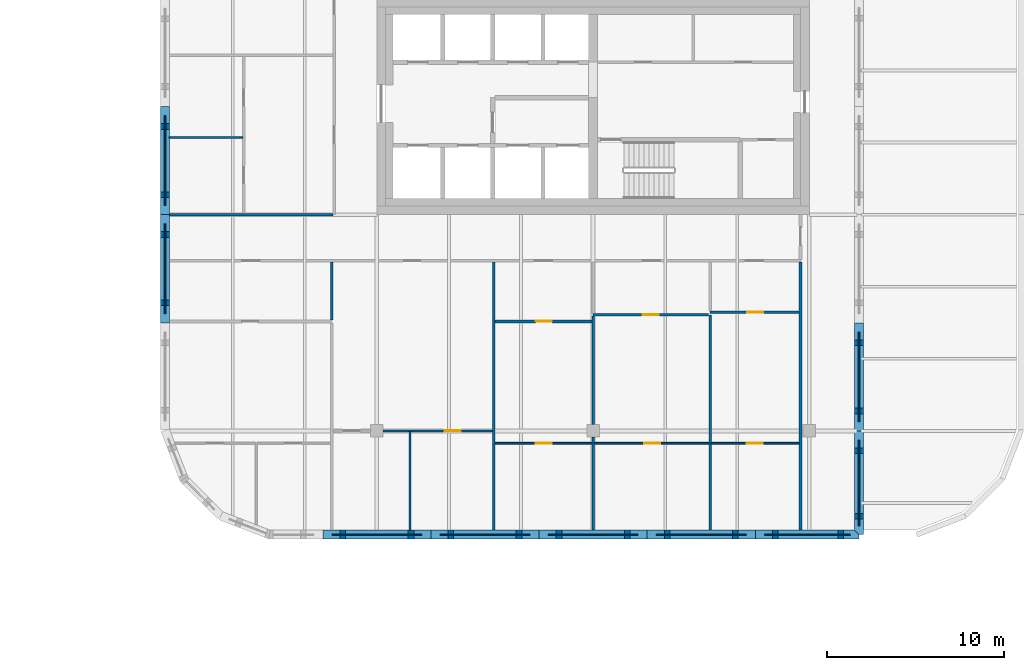
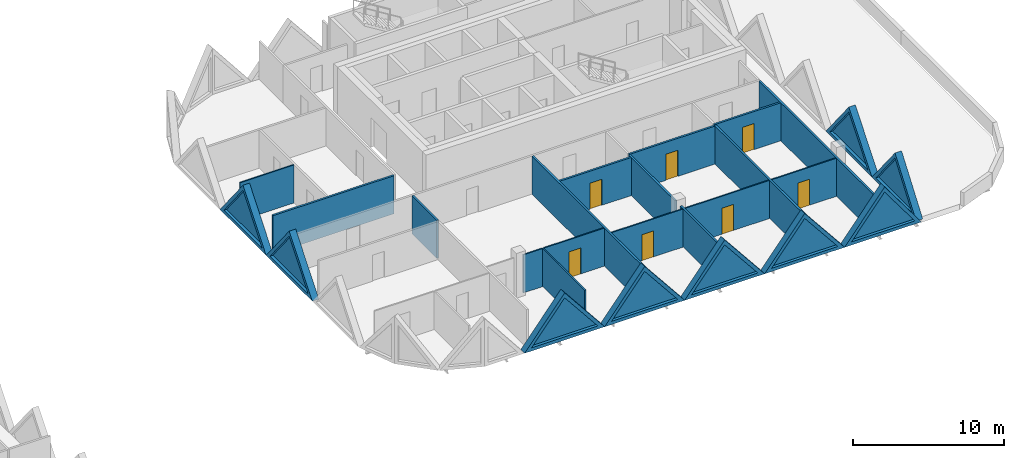
# One storey, part 12 of 18: 26 walls, 9 plates, 7 doors, 16 openings.
"""IFC4 building model written with IfcOpenShell, lengths in metres."""

import ifcopenshell
import ifcopenshell.guid

model = None  # the IFC model being written
_history = None  # IfcOwnerHistory: only IFC2X3 demands one
_inside = {}  # id of a spatial element -> (the spatial element, [elements in it])
_under = {}  # id of a project, library or spatial element -> (it, [spatial elements below it])
_declared = {}  # id of a project -> (the project, [libraries it declares])
_typed = {}  # id of a type object -> (the type object, [elements of that type])
_made_of = {}  # id of a material, layer set ... -> (it, [elements and type objects made of it])


def new_model(schema):
    """Start an empty IFC model of exactly this schema.

    Asked for "IFC4X3", IfcOpenShell would pick the latest addendum, in which some entities
    have other attributes; the version numbers below select the first issue.
    IFC2X3 requires an IfcOwnerHistory on every rooted entity: one is made here for all.
    """
    global model, _history
    if schema == "IFC4X3":
        model = ifcopenshell.file(schema_version=(4, 3, 0, 0))
    else:
        model = ifcopenshell.file(schema=schema)
    _inside.clear()
    _under.clear()
    _declared.clear()
    _typed.clear()
    _made_of.clear()
    _history = None
    if model.schema == "IFC2X3":
        org = make("IfcOrganization", Name="unknown")
        user = make(
            "IfcPersonAndOrganization",
            ThePerson=make("IfcPerson", FamilyName="unknown"),
            TheOrganization=org,
        )
        app = make(
            "IfcApplication",
            ApplicationDeveloper=org,
            Version="unknown",
            ApplicationFullName="unknown",
            ApplicationIdentifier="unknown",
        )
        _history = make(
            "IfcOwnerHistory",
            OwningUser=user,
            OwningApplication=app,
            ChangeAction="ADDED",
            CreationDate=0,
        )
    return model


def make(cls, **values):
    """One entity of the class cls with the attributes given. An attribute that is None is left unset."""
    return model.create_entity(
        cls, **{name: value for name, value in values.items() if value is not None}
    )


def rooted(cls, **values):
    """An entity with a GlobalId (a new one), such as an element, a storey or a relation."""
    return make(cls, GlobalId=ifcopenshell.guid.new(), OwnerHistory=_history, **values)


def si_unit(unit_type, name, prefix=None):
    """IfcSIUnit, for example si_unit("LENGTHUNIT", "METRE", prefix="MILLI")."""
    return make("IfcSIUnit", UnitType=unit_type, Prefix=prefix, Name=name)


def assignment(units):
    """IfcUnitAssignment: the units of a project."""
    return None if units is None else make("IfcUnitAssignment", Units=units)


def point(xyz):
    """IfcCartesianPoint."""
    return None if xyz is None else make("IfcCartesianPoint", Coordinates=xyz)


def direction(xyz):
    """IfcDirection."""
    return None if xyz is None else make("IfcDirection", DirectionRatios=xyz)


def frame(location, z_axis=None, x_axis=None):
    """IfcAxis2Placement3D, a coordinate frame: its origin and axes. An axis left out is left unset."""
    return make(
        "IfcAxis2Placement3D",
        Location=point(location),
        Axis=direction(z_axis),
        RefDirection=direction(x_axis),
    )


def frame_2d(location, x_axis=None):
    """IfcAxis2Placement2D, a coordinate frame in the plane: its origin and x axis."""
    return make(
        "IfcAxis2Placement2D", Location=point(location), RefDirection=direction(x_axis)
    )


def origin():
    """The frame at (0, 0, 0) with its axes left unset."""
    return frame((0.0, 0.0, 0.0))


def place(relative_to, where):
    """IfcLocalPlacement: puts the frame where relative to a parent placement (None: the world)."""
    return make(
        "IfcLocalPlacement", PlacementRelTo=relative_to, RelativePlacement=where
    )


def context(
    kind, dimensions, precision=None, world=None, true_north=None, identifier=None
):
    """IfcGeometricRepresentationContext, for example the 3D "Model" context."""
    return make(
        "IfcGeometricRepresentationContext",
        ContextIdentifier=identifier,
        ContextType=kind,
        CoordinateSpaceDimension=dimensions,
        Precision=precision,
        WorldCoordinateSystem=world,
        TrueNorth=true_north,
    )


def subcontext(parent, identifier, kind, view, scale=None):
    """IfcGeometricRepresentationSubContext, for example "Body" below "Model"."""
    return make(
        "IfcGeometricRepresentationSubContext",
        ContextIdentifier=identifier,
        ContextType=kind,
        ParentContext=parent,
        TargetScale=scale,
        TargetView=view,
    )


def project(units=None, contexts=None):
    """IfcProject with its units and contexts."""
    return rooted(
        "IfcProject",
        Name="project",
        RepresentationContexts=contexts,
        UnitsInContext=assignment(units),
    )


def spatial(cls, under=None, at=None, **own):
    """A site, building, storey or space (cls), placed at a placement, below another one or the project."""
    s = rooted(cls, ObjectPlacement=at, **own)
    if under is not None:
        _under.setdefault(under.id(), (under, []))[1].append(s)
    return s


def polyline(points):
    """IfcPolyline through the points."""
    return make("IfcPolyline", Points=[point(p) for p in points])


def profile(cls, at=None, kind="AREA", **sizes):
    """A parametric profile (cls). Its sizes go by their IFC names, for example OverallWidth=200.0."""
    return make(cls, ProfileType=kind, Position=at, **sizes)


def rectangle(**sizes):
    """IfcRectangleProfileDef."""
    return profile("IfcRectangleProfileDef", **sizes)


def outline(outer, holes=None, kind="AREA"):
    """IfcArbitraryClosedProfileDef: a profile drawn as a closed curve; with holes, ...WithVoids."""
    if holes is None:
        return make("IfcArbitraryClosedProfileDef", ProfileType=kind, OuterCurve=outer)
    return make(
        "IfcArbitraryProfileDefWithVoids",
        ProfileType=kind,
        OuterCurve=outer,
        InnerCurves=holes,
    )


def extrude(swept, where, along, depth):
    """IfcExtrudedAreaSolid: the profile swept, set in the frame where, extruded along a direction by depth."""
    return make(
        "IfcExtrudedAreaSolid",
        SweptArea=swept,
        Position=where,
        ExtrudedDirection=direction(along),
        Depth=depth,
    )


def faces_of(points, faces, orient=None, outer=None):
    """IfcFace entities. A face is a list of loops; a loop is a list of indices into points, from 0.

    orient and outer hold one flag for each loop. By default every Orientation is true, the
    first loop of a face is its IfcFaceOuterBound and the others are IfcFaceBound.
    """
    made = []
    for i, loops in enumerate(faces):
        bounds = []
        for j, loop in enumerate(loops):
            is_outer = j == 0 if outer is None else outer[i][j]
            bounds.append(
                make(
                    "IfcFaceOuterBound" if is_outer else "IfcFaceBound",
                    Bound=make("IfcPolyLoop", Polygon=[points[k] for k in loop]),
                    Orientation=True if orient is None else orient[i][j],
                )
            )
        made.append(make("IfcFace", Bounds=bounds))
    return made


def faceted_brep(points, faces, orient=None, outer=None, voids=None):
    """IfcFacetedBrep: a solid bounded by flat faces; with voids (closed shells), ...WithVoids."""
    shared = [point(p) for p in points]
    hull = make("IfcClosedShell", CfsFaces=faces_of(shared, faces, orient, outer))
    if voids is None:
        return make("IfcFacetedBrep", Outer=hull)
    return make(
        "IfcFacetedBrepWithVoids",
        Outer=hull,
        Voids=[
            make(cls, CfsFaces=faces_of(shared, fs, o, b)) for cls, fs, o, b in voids
        ],
    )


def shape(context_of_items, identifier, shape_type, items):
    """IfcShapeRepresentation: the items that make up one representation, for example the "Body"."""
    return make(
        "IfcShapeRepresentation",
        ContextOfItems=context_of_items,
        RepresentationIdentifier=identifier,
        RepresentationType=shape_type,
        Items=items,
    )


def source(mapping_origin, context_of_items, identifier, shape_type, items):
    """IfcRepresentationMap: a shape defined once, which mapped items show again and again."""
    return make(
        "IfcRepresentationMap",
        MappingOrigin=mapping_origin,
        MappedRepresentation=shape(context_of_items, identifier, shape_type, items),
    )


def transform(
    local_origin,
    x_axis=None,
    y_axis=None,
    z_axis=None,
    scale=None,
    scale2=None,
    scale3=None,
    uniform=True,
):
    """IfcCartesianTransformationOperator3D, or its non-uniform kind. x_axis, y_axis, z_axis: its Axis1, 2, 3."""
    if uniform:
        return make(
            "IfcCartesianTransformationOperator3D",
            Axis1=direction(x_axis),
            Axis2=direction(y_axis),
            LocalOrigin=point(local_origin),
            Scale=scale,
            Axis3=direction(z_axis),
        )
    return make(
        "IfcCartesianTransformationOperator3DnonUniform",
        Axis1=direction(x_axis),
        Axis2=direction(y_axis),
        LocalOrigin=point(local_origin),
        Scale=scale,
        Axis3=direction(z_axis),
        Scale2=scale2,
        Scale3=scale3,
    )


def mapped(mapping_source, mapping_target):
    """IfcMappedItem: shows the shape of a source again, moved by a transform."""
    return make(
        "IfcMappedItem", MappingSource=mapping_source, MappingTarget=mapping_target
    )


def material(Name=None, Category=None):
    """IfcMaterial."""
    return make("IfcMaterial", Name=Name, Category=Category)


def layer(
    of_material, thickness, ventilated=None, Name=None, Category=None, Priority=None
):
    """IfcMaterialLayer: one layer of a wall or slab, of a material (None: an air gap)."""
    return make(
        "IfcMaterialLayer",
        Material=of_material,
        LayerThickness=thickness,
        IsVentilated=ventilated,
        Name=Name,
        Category=Category,
        Priority=Priority,
    )


def layer_set(layers, Name=None):
    """IfcMaterialLayerSet."""
    return make("IfcMaterialLayerSet", MaterialLayers=layers, LayerSetName=Name)


def made_of(thing, what):
    """Note that an element or type object is made of a material, layer set ...; save() writes the relation."""
    if what is not None:
        _made_of.setdefault(what.id(), (what, []))[1].append(thing)
    return thing


def type_object(cls, material=None, **own):
    """A type object (cls), such as IfcWallType, which elements share."""
    return made_of(rooted(cls, **own), material)


def element(
    cls,
    number,
    at=None,
    inside=None,
    cuts=None,
    type_object=None,
    material=None,
    context=None,
    identifier="Body",
    shape_type=None,
    held_by="IfcProductDefinitionShape",
    body=None,
    shapes=None,
    **own,
):
    """One element of the class cls, such as IfcWall. Its Tag is "e" and its number.

    at: its placement. inside: the storey or other place that contains it. cuts: it is an
    opening in that element (IfcRelVoidsElement). A single representation is given by context,
    identifier, shape_type and body (its items); several are given by shapes. held_by: the class
    of the entity that holds the representations. save() writes the other relations.
    """
    e = rooted(cls, Tag="e%d" % number, ObjectPlacement=at, **own)
    if body is not None:
        shapes = [shape(context, identifier, shape_type, body)]
    if shapes is not None:
        e.Representation = make(held_by, Representations=shapes)
    if inside is not None:
        _inside.setdefault(inside.id(), (inside, []))[1].append(e)
    if cuts is not None:
        rooted(
            "IfcRelVoidsElement", RelatingBuildingElement=cuts, RelatedOpeningElement=e
        )
    if type_object is not None:
        _typed.setdefault(type_object.id(), (type_object, []))[1].append(e)
    return made_of(e, material)


def fill(opening, filler):
    """IfcRelFillsElement: the door or window that sits in an opening."""
    return rooted(
        "IfcRelFillsElement",
        RelatingOpeningElement=opening,
        RelatedBuildingElement=filler,
    )


def aggregate(whole, parts):
    """IfcRelAggregates: a whole, such as a stair, and the parts it consists of."""
    return rooted("IfcRelAggregates", RelatingObject=whole, RelatedObjects=parts)


def save(model, path):
    """Write the relations noted so far, then the file.

    IfcRelAggregates (storeys below a building ...), IfcRelContainedInSpatialStructure (elements
    in a storey), IfcRelDefinesByType, IfcRelAssociatesMaterial and IfcRelDeclares: one each for
    every whole, place, type object, material and project.
    """
    for whole, parts in _under.values():
        aggregate(whole, parts)
    for where, things in _inside.values():
        rooted(
            "IfcRelContainedInSpatialStructure",
            RelatedElements=things,
            RelatingStructure=where,
        )
    for kind, things in _typed.values():
        rooted("IfcRelDefinesByType", RelatedObjects=things, RelatingType=kind)
    for what, things in _made_of.values():
        rooted("IfcRelAssociatesMaterial", RelatedObjects=things, RelatingMaterial=what)
    for by, libraries in _declared.values():
        rooted("IfcRelDeclares", RelatingContext=by, RelatedDefinitions=libraries)
    model.write(path)


model = new_model("IFC4")

# Units and contexts
model_context = context("Model", 3, precision=1e-05, world=origin(), true_north=direction((0.0, 1.0)))
body_context = subcontext(model_context, "Body", "Model", "MODEL_VIEW")
ifc_project = project(units=[si_unit("LENGTHUNIT", "METRE"), si_unit("AREAUNIT", "SQUARE_METRE"), si_unit("VOLUMEUNIT", "CUBIC_METRE"), si_unit("PLANEANGLEUNIT", "RADIAN"), si_unit("MASSUNIT", "GRAM", prefix="KILO")], contexts=[model_context])

# Site, building, storey
site_placement = place(None, origin())
site = spatial("IfcSite", under=ifc_project, at=site_placement, CompositionType="ELEMENT")
building_placement = place(site_placement, origin())
building = spatial("IfcBuilding", under=site, at=building_placement, Name="Tessera Gate Towers", CompositionType="ELEMENT")
storey_placement = place(building_placement, frame((0.0, 0.0, 95.199951171875)))
storey = spatial("IfcBuildingStorey", under=building, at=storey_placement, Name="L23", CompositionType="ELEMENT", Elevation=95.199951171875)

# Walls
ifc_material_1 = material(Name="Gypsum board on steel studs, mineral wool", Category="steel")
ifc_layer_1 = layer(ifc_material_1, 0.14990234375)
ifc_layer_set_1 = layer_set([ifc_layer_1], Name="CORRIDOR WALL 150")
wall_type_1 = type_object("IfcWallType", Name="CORRIDOR WALL 150", PredefinedType="PARTITIONING", material=ifc_layer_set_1)
wall_1_placement = place(storey_placement, frame((85.89990234375, 36.60009765625, 0.0), z_axis=(0.0, 0.0, 1.0), x_axis=(1.0, 0.0, 0.0)))
element("IfcWall", 1, at=wall_1_placement, inside=storey, type_object=wall_type_1, Name="T2-L23-PW-026", PredefinedType="PARTITIONING", context=body_context, shape_type="SweptSolid", body=[
    extrude(rectangle(XDim=9.22412109375, YDim=0.14990234375, at=frame_2d((4.612060546875, 0.0))), origin(), (0.0, 0.0, 1.0), 3.067138671875),
])
ifc_material_2 = material(Name="Gypsum board on steel studs", Category="steel")
ifc_layer_2 = layer(ifc_material_2, 0.10009765625)
ifc_layer_set_2 = layer_set([ifc_layer_2], Name="PARTITION 100")
wall_type_2 = type_object("IfcWallType", Name="PARTITION 100", PredefinedType="PARTITIONING", material=ifc_layer_set_2)
wall_2_placement = place(storey_placement, frame((99.469970703125, 18.800048828125, 0.0), z_axis=(0.0, 0.0, 1.0), x_axis=(0.0, 1.0, 0.0)))
element("IfcWall", 2, at=wall_2_placement, inside=storey, type_object=wall_type_2, Name="T2-L23-PW-002", PredefinedType="PARTITIONING", context=body_context, shape_type="SweptSolid", body=[
    extrude(rectangle(XDim=5.599853515625, YDim=0.10009765625, at=frame_2d((2.7998046875, 0.0))), origin(), (0.0, 0.0, 1.0), 3.067138671875),
])

# Wall, opening, door
wall_3_placement = place(storey_placement, frame((109.72412109375, 23.699951171875, 0.0), z_axis=(0.0, 0.0, 1.0), x_axis=(-1.0, 0.0, 0.0)))
wall_3 = element("IfcWall", 3, at=wall_3_placement, inside=storey, type_object=wall_type_2, Name="T2-L23-PW-010", PredefinedType="PARTITIONING", context=body_context, shape_type="SweptSolid", body=[
    extrude(rectangle(XDim=5.4482421875, YDim=0.10009765625, at=frame_2d((2.72412109375, 0.0))), origin(), (0.0, 0.0, 1.0), 3.067138671875),
])
shared_shape_1 = source(origin(), body_context, "Body", "SweptSolid", [
    extrude(rectangle(XDim=0.89990234375, YDim=2.10009765625, at=frame_2d((0.449951171875, 1.050048828125))), frame((0.0, 0.06005859375, 0.0), z_axis=(0.0, -1.0, 0.0), x_axis=(1.0, 0.0, 0.0)), (0.0, 0.0, 1.0), 0.1201171875),
])
opening_1_placement = place(wall_3_placement, frame((2.248046875, 0.0, 0.0)))
opening_1 = element("IfcOpeningElement", 4, at=opening_1_placement, cuts=wall_3, Name="Opening D190-B10-10", PredefinedType="OPENING", context=body_context, shape_type="MappedRepresentation", body=[
    mapped(shared_shape_1, transform((0.0, 0.0, 0.0), scale=1.0)),
])
ifc_material_3 = material(Name="Timber door leaf in steel frame", Category="steel")
door_type = type_object("IfcDoorType", Name="INTERNAL DOOR 900 NOT RATED", OperationType="NOTDEFINED", PredefinedType="DOOR", material=ifc_material_3)
shared_shape_2 = source(origin(), body_context, "Body", "SweptSolid", [
    extrude(rectangle(XDim=0.89990234375, YDim=2.10009765625, at=frame_2d((0.449951171875, 1.050048828125))), frame((0.0, 0.02490234375, 0.0), z_axis=(0.0, -1.0, 0.0), x_axis=(1.0, 0.0, 0.0)), (0.0, 0.0, 1.0), 0.050048828125),
])
door_1_placement = place(opening_1_placement, origin())
door_1 = element("IfcDoor", 5, at=door_1_placement, inside=storey, type_object=door_type, Name="T2-L23-PD-012", OperationType="SINGLE_SWING_RIGHT", OverallHeight=2.10009765625, OverallWidth=0.89990234375, PredefinedType="DOOR", context=body_context, shape_type="MappedRepresentation", body=[
    mapped(shared_shape_2, transform((0.0, 0.0, 0.0), scale=1.0)),
])
fill(opening_1, door_1)

wall_4_placement = place(storey_placement, frame((116.323974609375, 23.699951171875, 0.0), z_axis=(0.0, 0.0, 1.0), x_axis=(-1.0, 0.0, 0.0)))
wall_4 = element("IfcWall", 6, at=wall_4_placement, inside=storey, type_object=wall_type_2, Name="T2-L23-PW-011", PredefinedType="PARTITIONING", context=body_context, shape_type="SweptSolid", body=[
    extrude(rectangle(XDim=6.447998046875, YDim=0.10009765625, at=frame_2d((3.22412109375, 0.0))), origin(), (0.0, 0.0, 1.0), 3.067138671875),
])
opening_2_placement = place(wall_4_placement, frame((2.748046875, 0.0, 0.0)))
opening_2 = element("IfcOpeningElement", 7, at=opening_2_placement, cuts=wall_4, Name="Opening D190-B10-11", PredefinedType="OPENING", context=body_context, shape_type="MappedRepresentation", body=[
    mapped(shared_shape_1, transform((0.0, 0.0, 0.0), scale=1.0)),
])
door_2_placement = place(opening_2_placement, origin())
door_2 = element("IfcDoor", 8, at=door_2_placement, inside=storey, type_object=door_type, Name="T2-L23-PD-015", OperationType="SINGLE_SWING_RIGHT", OverallHeight=2.10009765625, OverallWidth=0.89990234375, PredefinedType="DOOR", context=body_context, shape_type="MappedRepresentation", body=[
    mapped(shared_shape_2, transform((0.0, 0.0, 0.0), scale=1.0)),
])
fill(opening_2, door_2)

wall_5_placement = place(storey_placement, frame((121.424072265625, 23.699951171875, 0.0), z_axis=(0.0, 0.0, 1.0), x_axis=(-1.0, 0.0, 0.0)))
wall_5 = element("IfcWall", 9, at=wall_5_placement, inside=storey, type_object=wall_type_2, Name="T2-L23-PW-012", PredefinedType="PARTITIONING", context=body_context, shape_type="SweptSolid", body=[
    extrude(rectangle(XDim=4.947998046875, YDim=0.10009765625, at=frame_2d((2.47412109375, 0.0))), origin(), (0.0, 0.0, 1.0), 3.067138671875),
])
opening_3_placement = place(wall_5_placement, frame((2.048095703125, 0.0, 0.0)))
opening_3 = element("IfcOpeningElement", 10, at=opening_3_placement, cuts=wall_5, Name="Opening D190-B10-07", PredefinedType="OPENING", context=body_context, shape_type="MappedRepresentation", body=[
    mapped(shared_shape_1, transform((0.0, 0.0, 0.0), scale=1.0)),
])
door_3_placement = place(opening_3_placement, origin())
door_3 = element("IfcDoor", 11, at=door_3_placement, inside=storey, type_object=door_type, Name="T2-L23-PD-008", OperationType="SINGLE_SWING_RIGHT", OverallHeight=2.10009765625, OverallWidth=0.89990234375, PredefinedType="DOOR", context=body_context, shape_type="MappedRepresentation", body=[
    mapped(shared_shape_2, transform((0.0, 0.0, 0.0), scale=1.0)),
])
fill(opening_3, door_3)

# Wall
wall_6_placement = place(storey_placement, frame((97.950927734375, 24.39990234375, 0.0), z_axis=(0.0, 0.0, 1.0), x_axis=(1.0, 0.0, 0.0)))
element("IfcWall", 12, at=wall_6_placement, inside=storey, type_object=wall_type_2, Name="T2-L23-PW-014", PredefinedType="PARTITIONING", context=body_context, shape_type="SweptSolid", body=[
    extrude(rectangle(XDim=1.46826171875, YDim=0.10009765625, at=frame_2d((0.734130859375, 0.0))), origin(), (0.0, 0.0, 1.0), 3.067138671875),
])

# Wall, opening, door
wall_7_placement = place(storey_placement, frame((104.1240234375, 24.39990234375, 0.0), z_axis=(0.0, 0.0, 1.0), x_axis=(-1.0, 0.0, 0.0)))
wall_7 = element("IfcWall", 13, at=wall_7_placement, inside=storey, type_object=wall_type_2, Name="T2-L23-PW-015", PredefinedType="PARTITIONING", context=body_context, shape_type="SweptSolid", body=[
    extrude(rectangle(XDim=4.602783203125, YDim=0.10009765625, at=frame_2d((2.30126953125, 0.0))), origin(), (0.0, 0.0, 1.0), 3.067138671875),
])
opening_4_placement = place(wall_7_placement, frame((1.802734375, 0.0, 0.0)))
opening_4 = element("IfcOpeningElement", 14, at=opening_4_placement, cuts=wall_7, Name="Opening D190-B10-06", PredefinedType="OPENING", context=body_context, shape_type="MappedRepresentation", body=[
    mapped(shared_shape_1, transform((0.0, 0.0, 0.0), scale=1.0)),
])
door_4_placement = place(opening_4_placement, origin())
door_4 = element("IfcDoor", 15, at=door_4_placement, inside=storey, type_object=door_type, Name="T2-L23-PD-006", OperationType="SINGLE_SWING_RIGHT", OverallHeight=2.10009765625, OverallWidth=0.89990234375, PredefinedType="DOOR", context=body_context, shape_type="MappedRepresentation", body=[
    mapped(shared_shape_2, transform((0.0, 0.0, 0.0), scale=1.0)),
])
fill(opening_4, door_4)

# Walls
wall_8_placement = place(storey_placement, frame((85.89990234375, 40.947998046875, 0.0), z_axis=(0.0, 0.0, 1.0), x_axis=(1.0, 0.0, 0.0)))
element("IfcWall", 16, at=wall_8_placement, inside=storey, type_object=wall_type_2, Name="T2-L23-PW-029", PredefinedType="PARTITIONING", context=body_context, shape_type="SweptSolid", body=[
    extrude(rectangle(XDim=4.1240234375, YDim=0.10009765625, at=frame_2d((2.06201171875, 0.0))), origin(), (0.0, 0.0, 1.0), 3.067138671875),
])
ifc_material_4 = material(Name="Gypsum board on steel studs, mineral wool", Category="steel")
ifc_layer_3 = layer(ifc_material_4, 0.14990234375)
ifc_layer_set_3 = layer_set([ifc_layer_3], Name="TENANCY WALL 150")
wall_type_3 = type_object("IfcWallType", Name="TENANCY WALL 150", PredefinedType="PARTITIONING", material=ifc_layer_set_3)
wall_9_placement = place(storey_placement, frame((104.199951171875, 18.800048828125, 0.0), z_axis=(0.0, 0.0, 1.0), x_axis=(0.0, 1.0, 0.0)))
element("IfcWall", 17, at=wall_9_placement, inside=storey, type_object=wall_type_3, Name="T2-L23-PW-003", PredefinedType="PARTITIONING", context=body_context, shape_type="SweptSolid", body=[
    extrude(rectangle(XDim=15.1240234375, YDim=0.14990234375, at=frame_2d((7.56201171875, 0.0))), origin(), (0.0, 0.0, 1.0), 3.067138671875),
])
wall_10_placement = place(storey_placement, frame((109.800048828125, 18.800048828125, 0.0), z_axis=(0.0, 0.0, 1.0), x_axis=(0.0, 1.0, 0.0)))
element("IfcWall", 18, at=wall_10_placement, inside=storey, type_object=wall_type_3, Name="T2-L23-PW-004", PredefinedType="PARTITIONING", context=body_context, shape_type="SweptSolid", body=[
    extrude(rectangle(XDim=5.2490234375, YDim=0.14990234375, at=frame_2d((2.62451171875, 0.0))), origin(), (0.0, 0.0, 1.0), 3.067138671875),
])
wall_11_placement = place(storey_placement, frame((116.39990234375, 18.800048828125, 0.0), z_axis=(0.0, 0.0, 1.0), x_axis=(0.0, 1.0, 0.0)))
element("IfcWall", 19, at=wall_11_placement, inside=storey, type_object=wall_type_3, Name="T2-L23-PW-005", PredefinedType="PARTITIONING", context=body_context, shape_type="SweptSolid", body=[
    extrude(rectangle(XDim=12.14990234375, YDim=0.14990234375, at=frame_2d((6.074951171875, 0.0))), origin(), (0.0, 0.0, 1.0), 3.067138671875),
])
wall_12_placement = place(storey_placement, frame((121.5, 18.800048828125, 0.0), z_axis=(0.0, 0.0, 1.0), x_axis=(0.0, 1.0, 0.0)))
element("IfcWall", 20, at=wall_12_placement, inside=storey, type_object=wall_type_3, Name="T2-L23-PW-006", PredefinedType="PARTITIONING", context=body_context, shape_type="SweptSolid", body=[
    extrude(rectangle(XDim=15.1240234375, YDim=0.14990234375, at=frame_2d((7.56201171875, 0.0))), origin(), (0.0, 0.0, 1.0), 3.067138671875),
])
wall_13_placement = place(storey_placement, frame((109.800048828125, 24.7509765625, 0.0), z_axis=(0.0, 0.0, 1.0), x_axis=(0.0, 1.0, 0.0)))
element("IfcWall", 21, at=wall_13_placement, inside=storey, type_object=wall_type_3, Name="T2-L23-PW-016", PredefinedType="PARTITIONING", context=body_context, shape_type="SweptSolid", body=[
    extrude(rectangle(XDim=6.123046875, YDim=0.14990234375, at=frame_2d((3.0615234375, 0.0))), origin(), (0.0, 0.0, 1.0), 3.067138671875),
])

# Wall, opening, door
wall_14_placement = place(storey_placement, frame((109.72412109375, 30.574951171875, 0.0), z_axis=(0.0, 0.0, 1.0), x_axis=(-1.0, 0.0, 0.0)))
wall_14 = element("IfcWall", 22, at=wall_14_placement, inside=storey, type_object=wall_type_3, Name="T2-L23-PW-018", PredefinedType="PARTITIONING", context=body_context, shape_type="SweptSolid", body=[
    extrude(rectangle(XDim=5.4482421875, YDim=0.14990234375, at=frame_2d((2.72412109375, 0.0))), origin(), (0.0, 0.0, 1.0), 3.067138671875),
])
shared_shape_3 = source(origin(), body_context, "Body", "SweptSolid", [
    extrude(rectangle(XDim=0.89990234375, YDim=2.10009765625, at=frame_2d((0.449951171875, 1.050048828125))), frame((0.0, 0.0849609375, 0.0), z_axis=(0.0, -1.0, 0.0), x_axis=(1.0, 0.0, 0.0)), (0.0, 0.0, 1.0), 0.169921875),
])
opening_5_placement = place(wall_14_placement, frame((2.248046875, 0.0, 0.0)))
opening_5 = element("IfcOpeningElement", 23, at=opening_5_placement, cuts=wall_14, Name="Opening D190-B10-09", PredefinedType="OPENING", context=body_context, shape_type="MappedRepresentation", body=[
    mapped(shared_shape_3, transform((0.0, 0.0, 0.0), scale=1.0)),
])
door_5_placement = place(opening_5_placement, origin())
door_5 = element("IfcDoor", 24, at=door_5_placement, inside=storey, type_object=door_type, Name="T2-L23-PD-011", OperationType="SINGLE_SWING_RIGHT", OverallHeight=2.10009765625, OverallWidth=0.89990234375, PredefinedType="DOOR", context=body_context, shape_type="MappedRepresentation", body=[
    mapped(shared_shape_2, transform((0.0, 0.0, 0.0), scale=1.0)),
])
fill(opening_5, door_5)

# Wall
wall_15_placement = place(storey_placement, frame((95.050048828125, 30.65087890625, 0.0), z_axis=(0.0, 0.0, 1.0), x_axis=(0.0, 1.0, 0.0)))
element("IfcWall", 25, at=wall_15_placement, inside=storey, type_object=wall_type_3, Name="T2-L23-PW-019", PredefinedType="PARTITIONING", context=body_context, shape_type="SweptSolid", body=[
    extrude(rectangle(XDim=3.273193359375, YDim=0.14990234375, at=frame_2d((1.63671875, 0.0))), origin(), (0.0, 0.0, 1.0), 3.067138671875),
])

# Wall, opening, door
wall_16_placement = place(storey_placement, frame((116.323974609375, 30.949951171875, 0.0), z_axis=(0.0, 0.0, 1.0), x_axis=(-1.0, 0.0, 0.0)))
wall_16 = element("IfcWall", 26, at=wall_16_placement, inside=storey, type_object=wall_type_3, Name="T2-L23-PW-020", PredefinedType="PARTITIONING", context=body_context, shape_type="SweptSolid", body=[
    extrude(rectangle(XDim=6.52392578125, YDim=0.14990234375, at=frame_2d((3.261962890625, 0.0))), origin(), (0.0, 0.0, 1.0), 3.067138671875),
])
opening_6_placement = place(wall_16_placement, frame((2.823974609375, 0.0, 0.0)))
opening_6 = element("IfcOpeningElement", 27, at=opening_6_placement, cuts=wall_16, Name="Opening D190-B10-12", PredefinedType="OPENING", context=body_context, shape_type="MappedRepresentation", body=[
    mapped(shared_shape_3, transform((0.0, 0.0, 0.0), scale=1.0)),
])
door_6_placement = place(opening_6_placement, origin())
door_6 = element("IfcDoor", 28, at=door_6_placement, inside=storey, type_object=door_type, Name="T2-L23-PD-016", OperationType="SINGLE_SWING_RIGHT", OverallHeight=2.10009765625, OverallWidth=0.89990234375, PredefinedType="DOOR", context=body_context, shape_type="MappedRepresentation", body=[
    mapped(shared_shape_2, transform((0.0, 0.0, 0.0), scale=1.0)),
])
fill(opening_6, door_6)

wall_17_placement = place(storey_placement, frame((121.424072265625, 31.10009765625, 0.0), z_axis=(0.0, 0.0, 1.0), x_axis=(-1.0, 0.0, 0.0)))
wall_17 = element("IfcWall", 29, at=wall_17_placement, inside=storey, type_object=wall_type_3, Name="T2-L23-PW-022", PredefinedType="PARTITIONING", context=body_context, shape_type="SweptSolid", body=[
    extrude(rectangle(XDim=5.024169921875, YDim=0.14990234375, at=frame_2d((2.51220703125, 0.0))), origin(), (0.0, 0.0, 1.0), 3.067138671875),
])
opening_7_placement = place(wall_17_placement, frame((2.02392578125, 0.0, 0.0)))
opening_7 = element("IfcOpeningElement", 30, at=opening_7_placement, cuts=wall_17, Name="Opening D190-B10-08", PredefinedType="OPENING", context=body_context, shape_type="MappedRepresentation", body=[
    mapped(shared_shape_3, transform((0.0, 0.0, 0.0), scale=1.0)),
])
door_7_placement = place(opening_7_placement, origin())
door_7 = element("IfcDoor", 31, at=door_7_placement, inside=storey, type_object=door_type, Name="T2-L23-PD-009", OperationType="SINGLE_SWING_RIGHT", OverallHeight=2.10009765625, OverallWidth=0.89990234375, PredefinedType="DOOR", context=body_context, shape_type="MappedRepresentation", body=[
    mapped(shared_shape_2, transform((0.0, 0.0, 0.0), scale=1.0)),
])
fill(opening_7, door_7)

# Wall, opening, plate
ifc_material_5 = material(Name="Precast concrete C60/75 white", Category="concrete")
ifc_layer_4 = layer(ifc_material_5, 0.5)
ifc_layer_set_4 = layer_set([ifc_layer_4], Name="TS2 half tessera")
wall_type_4 = type_object("IfcWallType", Name="TS2 half tessera", PredefinedType="SOLIDWALL", material=ifc_layer_set_4)
shared_shape_4 = source(origin(), body_context, "Body", "Brep", [
    faceted_brep([(6.099853515625, -0.25, 0.000244140625), (3.050048828125, -0.25, 3.800048828125), (0.0, -0.25, 0.0), (6.099853515625, -0.25, 0.0), (0.0, 0.25, 0.0), (3.050048828125, 0.25, 3.800048828125), (6.099853515625, 0.25, 0.000244140625), (6.099853515625, 0.25, 0.0)], [[[0, 1, 2, 3]], [[4, 5, 6, 7]], [[6, 5, 1, 0]], [[5, 4, 2, 1]], [[4, 7, 3, 2]], [[3, 7, 6, 0]]]),
])
wall_18_placement = place(storey_placement, frame((94.550048828125, 18.550048828125, 0.0), z_axis=(0.0, 0.0, 1.0), x_axis=(1.0, 0.0, 0.0)))
wall_18 = element("IfcWall", 32, at=wall_18_placement, inside=storey, type_object=wall_type_4, Name="Precast half tessera T2 TS2-0108", PredefinedType="SOLIDWALL", context=body_context, shape_type="MappedRepresentation", body=[
    mapped(shared_shape_4, transform((0.0, 0.0, 0.0), scale=1.0)),
])
shared_shape_5 = source(origin(), body_context, "Body", "SweptSolid", [
    extrude(outline(polyline([(5.578857421875, 0.25), (3.050048828125, 3.400634765625), (0.521240234375, 0.25), (5.578857421875, 0.25)])), frame((0.0, 0.260009765625, 0.0), z_axis=(0.0, -1.0, 0.0), x_axis=(1.0, 0.0, 0.0)), (0.0, 0.0, 1.0), 0.52001953125),
])
opening_8_placement = place(wall_18_placement, origin())
opening_8 = element("IfcOpeningElement", 33, at=opening_8_placement, cuts=wall_18, Name="Opening T2-PL1-0206", PredefinedType="OPENING", context=body_context, shape_type="MappedRepresentation", body=[
    mapped(shared_shape_5, transform((0.0, 0.0, 0.0), scale=1.0)),
])
ifc_material_6 = material(Name="Low-e laminated glass", Category="glass")
ifc_layer_5 = layer(ifc_material_6, 0.06005859375)
ifc_layer_set_5 = layer_set([ifc_layer_5], Name="PL1 triangular pane")
plate_type = type_object("IfcPlateType", Name="PL1 triangular pane", PredefinedType="SHEET", material=ifc_layer_set_5)
shared_shape_6 = source(origin(), body_context, "Body", "SweptSolid", [
    extrude(outline(polyline([(5.578857421875, 0.25), (3.050048828125, 3.400634765625), (0.521240234375, 0.25), (5.578857421875, 0.25)])), frame((0.0, 0.030029296875, 0.0), z_axis=(0.0, -1.0, 0.0), x_axis=(1.0, 0.0, 0.0)), (0.0, 0.0, 1.0), 0.06005859375),
])
plate_1_placement = place(opening_8_placement, origin())
plate_1 = element("IfcPlate", 34, at=plate_1_placement, inside=storey, type_object=plate_type, Name="Glass pane T2 PL1-0206", PredefinedType="SHEET", context=body_context, shape_type="MappedRepresentation", body=[
    mapped(shared_shape_6, transform((0.0, 0.0, 0.0), scale=1.0)),
])
fill(opening_8, plate_1)

wall_19_placement = place(storey_placement, frame((112.85009765625, 18.550048828125, 0.0), z_axis=(0.0, 0.0, 1.0), x_axis=(1.0, 0.0, 0.0)))
wall_19 = element("IfcWall", 35, at=wall_19_placement, inside=storey, type_object=wall_type_4, Name="Precast half tessera T2 TS2-0111", PredefinedType="SOLIDWALL", context=body_context, shape_type="MappedRepresentation", body=[
    mapped(shared_shape_4, transform((0.0, 0.0, 0.0), scale=1.0)),
])
opening_9_placement = place(wall_19_placement, origin())
opening_9 = element("IfcOpeningElement", 36, at=opening_9_placement, cuts=wall_19, Name="Opening T2-PL1-0209", PredefinedType="OPENING", context=body_context, shape_type="MappedRepresentation", body=[
    mapped(shared_shape_5, transform((0.0, 0.0, 0.0), scale=1.0)),
])
plate_2_placement = place(opening_9_placement, origin())
plate_2 = element("IfcPlate", 37, at=plate_2_placement, inside=storey, type_object=plate_type, Name="Glass pane T2 PL1-0209", PredefinedType="SHEET", context=body_context, shape_type="MappedRepresentation", body=[
    mapped(shared_shape_6, transform((0.0, 0.0, 0.0), scale=1.0)),
])
fill(opening_9, plate_2)

wall_20_placement = place(storey_placement, frame((85.64990234375, 42.699951171875, 0.0), z_axis=(0.0, 0.0, 1.0), x_axis=(0.0, -1.0, 0.0)))
wall_20 = element("IfcWall", 38, at=wall_20_placement, inside=storey, type_object=wall_type_4, Name="Precast half tessera T2 TS2-0125", PredefinedType="SOLIDWALL", context=body_context, shape_type="MappedRepresentation", body=[
    mapped(shared_shape_4, transform((0.0, 0.0, 0.0), scale=1.0)),
])
opening_10_placement = place(wall_20_placement, origin())
opening_10 = element("IfcOpeningElement", 39, at=opening_10_placement, cuts=wall_20, Name="Opening T2-PL1-0227", PredefinedType="OPENING", context=body_context, shape_type="MappedRepresentation", body=[
    mapped(shared_shape_5, transform((0.0, 0.0, 0.0), scale=1.0)),
])
plate_3_placement = place(opening_10_placement, origin())
plate_3 = element("IfcPlate", 40, at=plate_3_placement, inside=storey, type_object=plate_type, Name="Glass pane T2 PL1-0227", PredefinedType="SHEET", context=body_context, shape_type="MappedRepresentation", body=[
    mapped(shared_shape_6, transform((0.0, 0.0, 0.0), scale=1.0)),
])
fill(opening_10, plate_3)

shared_shape_7 = source(origin(), body_context, "Body", "SweptSolid", [
    extrude(outline(polyline([(6.10009765625, 0.0), (3.050048828125, 3.800048828125), (0.0, 0.0), (6.10009765625, 0.0)])), frame((0.0, 0.25, 0.0), z_axis=(0.0, -1.0, 0.0), x_axis=(1.0, 0.0, 0.0)), (0.0, 0.0, 1.0), 0.5),
])
wall_21_placement = place(storey_placement, frame((100.64990234375, 18.550048828125, 0.0), z_axis=(0.0, 0.0, 1.0), x_axis=(1.0, 0.0, 0.0)))
wall_21 = element("IfcWall", 41, at=wall_21_placement, inside=storey, type_object=wall_type_4, Name="Precast half tessera T2 TS2-0109", PredefinedType="SOLIDWALL", context=body_context, shape_type="MappedRepresentation", body=[
    mapped(shared_shape_7, transform((0.0, 0.0, 0.0), scale=1.0)),
])
opening_11_placement = place(wall_21_placement, origin())
opening_11 = element("IfcOpeningElement", 42, at=opening_11_placement, cuts=wall_21, Name="Opening T2-PL1-0207", PredefinedType="OPENING", context=body_context, shape_type="MappedRepresentation", body=[
    mapped(shared_shape_5, transform((0.0, 0.0, 0.0), scale=1.0)),
])
plate_4_placement = place(opening_11_placement, origin())
plate_4 = element("IfcPlate", 43, at=plate_4_placement, inside=storey, type_object=plate_type, Name="Glass pane T2 PL1-0207", PredefinedType="SHEET", context=body_context, shape_type="MappedRepresentation", body=[
    mapped(shared_shape_6, transform((0.0, 0.0, 0.0), scale=1.0)),
])
fill(opening_11, plate_4)

wall_22_placement = place(storey_placement, frame((106.75, 18.550048828125, 0.0), z_axis=(0.0, 0.0, 1.0), x_axis=(1.0, 0.0, 0.0)))
wall_22 = element("IfcWall", 44, at=wall_22_placement, inside=storey, type_object=wall_type_4, Name="Precast half tessera T2 TS2-0110", PredefinedType="SOLIDWALL", context=body_context, shape_type="MappedRepresentation", body=[
    mapped(shared_shape_7, transform((0.0, 0.0, 0.0), scale=1.0)),
])
opening_12_placement = place(wall_22_placement, origin())
opening_12 = element("IfcOpeningElement", 45, at=opening_12_placement, cuts=wall_22, Name="Opening T2-PL1-0208", PredefinedType="OPENING", context=body_context, shape_type="MappedRepresentation", body=[
    mapped(shared_shape_5, transform((0.0, 0.0, 0.0), scale=1.0)),
])
plate_5_placement = place(opening_12_placement, origin())
plate_5 = element("IfcPlate", 46, at=plate_5_placement, inside=storey, type_object=plate_type, Name="Glass pane T2 PL1-0208", PredefinedType="SHEET", context=body_context, shape_type="MappedRepresentation", body=[
    mapped(shared_shape_6, transform((0.0, 0.0, 0.0), scale=1.0)),
])
fill(opening_12, plate_5)

wall_23_placement = place(storey_placement, frame((124.800048828125, 24.39990234375, 0.0), z_axis=(0.0, 0.0, 1.0), x_axis=(0.0, 1.0, 0.0)))
wall_23 = element("IfcWall", 47, at=wall_23_placement, inside=storey, type_object=wall_type_4, Name="Precast half tessera T2 TS2-0114", PredefinedType="SOLIDWALL", context=body_context, shape_type="MappedRepresentation", body=[
    mapped(shared_shape_7, transform((0.0, 0.0, 0.0), scale=1.0)),
])
opening_13_placement = place(wall_23_placement, origin())
opening_13 = element("IfcOpeningElement", 48, at=opening_13_placement, cuts=wall_23, Name="Opening T2-PL1-0212", PredefinedType="OPENING", context=body_context, shape_type="MappedRepresentation", body=[
    mapped(shared_shape_5, transform((0.0, 0.0, 0.0), scale=1.0)),
])
plate_6_placement = place(opening_13_placement, origin())
plate_6 = element("IfcPlate", 49, at=plate_6_placement, inside=storey, type_object=plate_type, Name="Glass pane T2 PL1-0212", PredefinedType="SHEET", context=body_context, shape_type="MappedRepresentation", body=[
    mapped(shared_shape_6, transform((0.0, 0.0, 0.0), scale=1.0)),
])
fill(opening_13, plate_6)

wall_24_placement = place(storey_placement, frame((85.64990234375, 36.60009765625, 0.0), z_axis=(0.0, 0.0, 1.0), x_axis=(0.0, -1.0, 0.0)))
wall_24 = element("IfcWall", 50, at=wall_24_placement, inside=storey, type_object=wall_type_4, Name="Precast half tessera T2 TS2-0126", PredefinedType="SOLIDWALL", context=body_context, shape_type="MappedRepresentation", body=[
    mapped(shared_shape_7, transform((0.0, 0.0, 0.0), scale=1.0)),
])
opening_14_placement = place(wall_24_placement, origin())
opening_14 = element("IfcOpeningElement", 51, at=opening_14_placement, cuts=wall_24, Name="Opening T2-PL1-0228", PredefinedType="OPENING", context=body_context, shape_type="MappedRepresentation", body=[
    mapped(shared_shape_5, transform((0.0, 0.0, 0.0), scale=1.0)),
])
plate_7_placement = place(opening_14_placement, origin())
plate_7 = element("IfcPlate", 52, at=plate_7_placement, inside=storey, type_object=plate_type, Name="Glass pane T2 PL1-0228", PredefinedType="SHEET", context=body_context, shape_type="MappedRepresentation", body=[
    mapped(shared_shape_6, transform((0.0, 0.0, 0.0), scale=1.0)),
])
fill(opening_14, plate_7)

shared_shape_8 = source(origin(), body_context, "Body", "Brep", [
    faceted_brep([(5.85009765625, -0.25, 0.0), (3.050048828125, -0.25, 3.800048828125), (0.0, -0.25, 0.0), (0.0, 0.25, 0.0), (3.050048828125, 0.25, 3.800048828125), (5.60009765625, 0.25, 0.33935546875), (5.60009765625, 0.25, 0.0), (5.85009765625, 0.0, 0.0)], [[[0, 1, 2]], [[3, 4, 5, 6]], [[5, 4, 1, 0, 7]], [[4, 3, 2, 1]], [[3, 6, 7, 0, 2]], [[7, 6, 5]]]),
])
wall_25_placement = place(storey_placement, frame((118.949951171875, 18.550048828125, 0.0), z_axis=(0.0, 0.0, 1.0), x_axis=(1.0, 0.0, 0.0)))
wall_25 = element("IfcWall", 53, at=wall_25_placement, inside=storey, type_object=wall_type_4, Name="Precast half tessera T2 TS2-0112", PredefinedType="SOLIDWALL", context=body_context, shape_type="MappedRepresentation", body=[
    mapped(shared_shape_8, transform((0.0, 0.0, 0.0), scale=1.0)),
])
shared_shape_9 = source(origin(), body_context, "Body", "SweptSolid", [
    extrude(outline(polyline([(5.355224609375, 0.25), (3.04150390625, 3.39013671875), (0.521240234375, 0.25), (5.355224609375, 0.25)])), frame((0.0, 0.260009765625, 0.0), z_axis=(0.0, -1.0, 0.0), x_axis=(1.0, 0.0, 0.0)), (0.0, 0.0, 1.0), 0.52001953125),
])
opening_15_placement = place(wall_25_placement, origin())
opening_15 = element("IfcOpeningElement", 54, at=opening_15_placement, cuts=wall_25, Name="Opening T2-PL1-0210", PredefinedType="OPENING", context=body_context, shape_type="MappedRepresentation", body=[
    mapped(shared_shape_9, transform((0.0, 0.0, 0.0), scale=1.0)),
])
shared_shape_10 = source(origin(), body_context, "Body", "SweptSolid", [
    extrude(outline(polyline([(5.355224609375, 0.25), (3.04150390625, 3.39013671875), (0.521240234375, 0.25), (5.355224609375, 0.25)])), frame((0.0, 0.030029296875, 0.0), z_axis=(0.0, -1.0, 0.0), x_axis=(1.0, 0.0, 0.0)), (0.0, 0.0, 1.0), 0.06005859375),
])
plate_8_placement = place(opening_15_placement, origin())
plate_8 = element("IfcPlate", 55, at=plate_8_placement, inside=storey, type_object=plate_type, Name="Glass pane T2 PL1-0210", PredefinedType="SHEET", context=body_context, shape_type="MappedRepresentation", body=[
    mapped(shared_shape_10, transform((0.0, 0.0, 0.0), scale=1.0)),
])
fill(opening_15, plate_8)

shared_shape_11 = source(origin(), body_context, "Body", "Brep", [
    faceted_brep([(5.85009765625, -0.25, 0.0), (2.800048828125, -0.25, 3.800048828125), (0.0, -0.25, 0.0), (0.25, 0.25, 0.33935546875), (2.800048828125, 0.25, 3.800048828125), (5.85009765625, 0.25, 0.0), (0.25, 0.25, 0.0), (0.0, 0.0, 0.0)], [[[0, 1, 2]], [[3, 4, 5, 6]], [[5, 4, 1, 0]], [[4, 3, 7, 2, 1]], [[6, 5, 0, 2, 7]], [[6, 7, 3]]]),
])
wall_26_placement = place(storey_placement, frame((124.800048828125, 18.550048828125, 0.0), z_axis=(0.0, 0.0, 1.0), x_axis=(0.0, 1.0, 0.0)))
wall_26 = element("IfcWall", 56, at=wall_26_placement, inside=storey, type_object=wall_type_4, Name="Precast half tessera T2 TS2-0113", PredefinedType="SOLIDWALL", context=body_context, shape_type="MappedRepresentation", body=[
    mapped(shared_shape_11, transform((0.0, 0.0, 0.0), scale=1.0)),
])
shared_shape_12 = source(origin(), body_context, "Body", "SweptSolid", [
    extrude(outline(polyline([(5.328857421875, 0.25), (2.808349609375, 3.39013671875), (0.49462890625, 0.25), (5.328857421875, 0.25)])), frame((0.0, 0.260009765625, 0.0), z_axis=(0.0, -1.0, 0.0), x_axis=(1.0, 0.0, 0.0)), (0.0, 0.0, 1.0), 0.52001953125),
])
opening_16_placement = place(wall_26_placement, origin())
opening_16 = element("IfcOpeningElement", 57, at=opening_16_placement, cuts=wall_26, Name="Opening T2-PL1-0211", PredefinedType="OPENING", context=body_context, shape_type="MappedRepresentation", body=[
    mapped(shared_shape_12, transform((0.0, 0.0, 0.0), scale=1.0)),
])
shared_shape_13 = source(origin(), body_context, "Body", "SweptSolid", [
    extrude(outline(polyline([(5.328857421875, 0.25), (2.808349609375, 3.39013671875), (0.49462890625, 0.25), (5.328857421875, 0.25)])), frame((0.0, 0.030029296875, 0.0), z_axis=(0.0, -1.0, 0.0), x_axis=(1.0, 0.0, 0.0)), (0.0, 0.0, 1.0), 0.06005859375),
])
plate_9_placement = place(opening_16_placement, origin())
plate_9 = element("IfcPlate", 58, at=plate_9_placement, inside=storey, type_object=plate_type, Name="Glass pane T2 PL1-0211", PredefinedType="SHEET", context=body_context, shape_type="MappedRepresentation", body=[
    mapped(shared_shape_13, transform((0.0, 0.0, 0.0), scale=1.0)),
])
fill(opening_16, plate_9)

save(model, "model.ifc")
